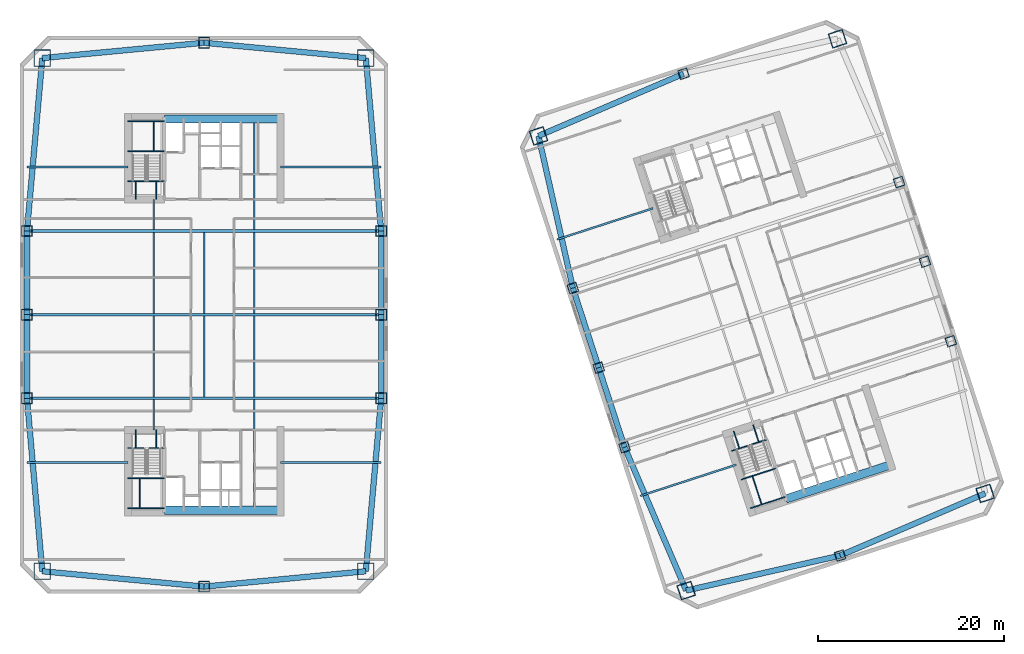
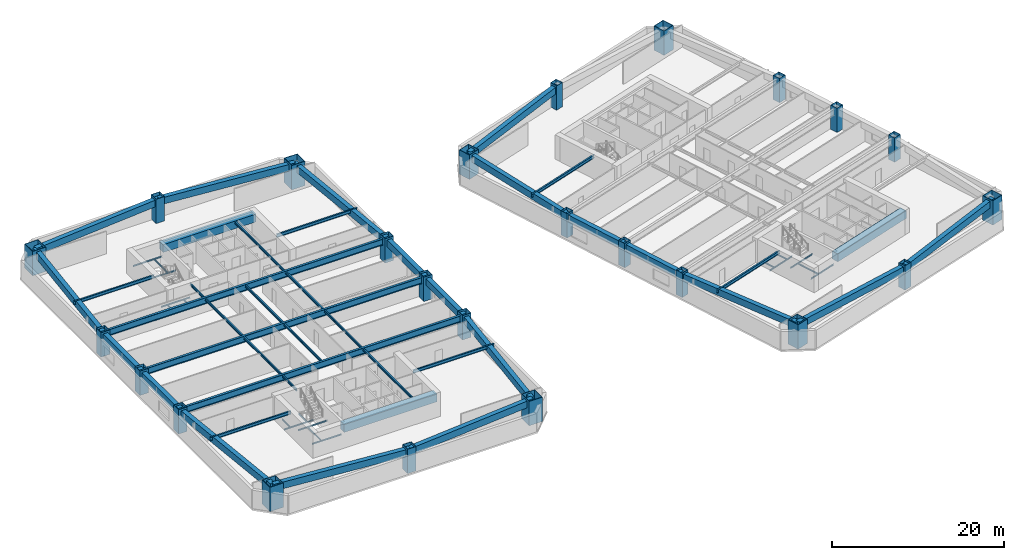
# One storey, part 1 of 11: 59 beams, 24 columns.
"""IFC4 building model written with IfcOpenShell, lengths in metres."""

from ifc_helpers import new_model, si_unit, direction, frame, origin, origin_2d, place, context, subcontext, project, spatial, rectangle, hollow_rectangle, i_section, extrude, material, material_profile, profile_set, type_object, element, save


model = new_model("IFC4")

# Units and contexts
model_context = context("Model", 3, precision=1e-05, world=origin(), true_north=direction((0.0, 1.0)))
body_context = subcontext(model_context, "Body", "Model", "MODEL_VIEW")
ifc_project = project(units=[si_unit("LENGTHUNIT", "METRE"), si_unit("AREAUNIT", "SQUARE_METRE"), si_unit("VOLUMEUNIT", "CUBIC_METRE"), si_unit("PLANEANGLEUNIT", "RADIAN"), si_unit("MASSUNIT", "GRAM", prefix="KILO")], contexts=[model_context])

# Site, building, storey
site_placement = place(None, origin())
site = spatial("IfcSite", under=ifc_project, at=site_placement, CompositionType="ELEMENT")
building_placement = place(site_placement, origin())
building = spatial("IfcBuilding", under=site, at=building_placement, Name="Qiaolan Cultural Towers", CompositionType="ELEMENT")
storey_placement = place(building_placement, frame((0.0, 0.0, 64.39990234375)))
storey = spatial("IfcBuildingStorey", under=building, at=storey_placement, Name="L15", CompositionType="ELEMENT", Elevation=64.39990234375)

# Columns
ifc_material_1 = material(Name="Steel Q355B", Category="steel")
ifc_material_profile_1 = material_profile(ifc_material_1, hollow_rectangle(XDim=1.0, YDim=1.0, WallThickness=0.035888671875, at=origin_2d()), Name="BOX1000x1000x36")
ifc_profile_set_1 = profile_set([ifc_material_profile_1], Name="Steel Q355B")
column_type_1 = type_object("IfcColumnType", Name="COL-BOX1000x1000x36", PredefinedType="COLUMN", material=ifc_profile_set_1)
for number, where, z_axis, x_axis, name in (
    (1, (75.234130859375, 19.739013671875, 0.0), (0.0, 0.0, 1.0), (0.951056516295, 0.309016994375, 0.0), "L15 T2 Perimeter Column PC-W1"),
    (2, (72.453125, 28.298583984375, 0.0), (0.0, 0.0, 1.0), (0.951056516295, 0.309016994375, 0.0), "L15 T2 Perimeter Column PC-W2"),
    (3, (69.671875, 36.858154296875, 0.0), (0.0, 0.0, 1.0), (0.951056516295, 0.309016994375, 0.0), "L15 T2 Perimeter Column PC-W3"),
    (4, (110.328125, 31.141845703125, 0.0), (0.0, 0.0, 1.0), (0.951056516295, 0.309016994375, 0.0), "L15 T2 Perimeter Column PC-E1"),
    (5, (107.546875, 39.701416015625, 0.0), (0.0, 0.0, 1.0), (0.951056516295, 0.309016994375, 0.0), "L15 T2 Perimeter Column PC-E2"),
    (6, (104.765869140625, 48.260986328125, 0.0), (0.0, 0.0, 1.0), (0.951056516295, 0.309016994375, 0.0), "L15 T2 Perimeter Column PC-E3"),
    (7, (98.420654296875, 8.083740234375, 0.0), (0.0, 0.0, 1.0), (0.951056516295, 0.309016994375, 0.0), "L15 T2 Perimeter Column PC-S0"),
    (8, (81.579345703125, 59.916259765625, 0.0), (0.0, 0.0, 1.0), (0.951056516295, 0.309016994375, 0.0), "L15 T2 Perimeter Column PC-N0"),
):
    element("IfcColumn", number, at=place(storey_placement, frame(where, z_axis=z_axis, x_axis=x_axis)), inside=storey, type_object=column_type_1, Name=name, PredefinedType="COLUMN", context=body_context, shape_type="SweptSolid", body=[
        extrude(hollow_rectangle(XDim=1.0, YDim=1.0, WallThickness=0.035888671875, at=origin_2d()), origin(), (0.0, 0.0, 1.0), 3.451171875),
    ])
ifc_material_2 = material(Name="Steel Q390GJB", Category="steel")
ifc_material_profile_2 = material_profile(ifc_material_2, hollow_rectangle(XDim=1.14990234375, YDim=1.14990234375, WallThickness=0.0400390625, at=origin_2d()), Name="BOX1150x1150x40")
ifc_profile_set_2 = profile_set([ifc_material_profile_2], Name="Steel Q390GJB")
column_type_2 = type_object("IfcColumnType", Name="COL-BOX1150x1150x40", PredefinedType="COLUMN", material=ifc_profile_set_2)
for number, where, z_axis, x_axis, name in (
    (9, (10.949951171875, 25.0, 0.0), (0.0, 0.0, 1.0), (1.0, 0.0, 0.0), "L15 T1 Perimeter Column PC-W1"),
    (10, (10.949951171875, 34.0, 0.0), (0.0, 0.0, 1.0), (1.0, 0.0, 0.0), "L15 T1 Perimeter Column PC-W2"),
    (11, (10.949951171875, 43.0, 0.0), (0.0, 0.0, 1.0), (1.0, 0.0, 0.0), "L15 T1 Perimeter Column PC-W3"),
    (12, (49.050048828125, 25.0, 0.0), (0.0, 0.0, 1.0), (1.0, 0.0, 0.0), "L15 T1 Perimeter Column PC-E1"),
    (13, (49.050048828125, 34.0, 0.0), (0.0, 0.0, 1.0), (1.0, 0.0, 0.0), "L15 T1 Perimeter Column PC-E2"),
    (14, (49.050048828125, 43.0, 0.0), (0.0, 0.0, 1.0), (1.0, 0.0, 0.0), "L15 T1 Perimeter Column PC-E3"),
    (15, (30.0, 4.75, 0.0), (0.0, 0.0, 1.0), (1.0, 0.0, 0.0), "L15 T1 Perimeter Column PC-S0"),
    (16, (30.0, 63.25, 0.0), (0.0, 0.0, 1.0), (1.0, 0.0, 0.0), "L15 T1 Perimeter Column PC-N0"),
):
    element("IfcColumn", number, at=place(storey_placement, frame(where, z_axis=z_axis, x_axis=x_axis)), inside=storey, type_object=column_type_2, Name=name, PredefinedType="COLUMN", context=body_context, shape_type="SweptSolid", body=[
        extrude(hollow_rectangle(XDim=1.14990234375, YDim=1.14990234375, WallThickness=0.0400390625, at=origin_2d()), origin(), (0.0, 0.0, 1.0), 3.451171875),
    ])
ifc_material_3 = material(Name="Steel Q420GJB", Category="steel")
ifc_material_profile_3 = material_profile(ifc_material_3, hollow_rectangle(XDim=1.60009765625, YDim=1.60009765625, WallThickness=0.054931640625, at=origin_2d()), Name="BOX1600x1600x55")
ifc_profile_set_3 = profile_set([ifc_material_profile_3], Name="Steel Q420GJB")
column_type_3 = type_object("IfcColumnType", Name="COL-BOX1600x1600x55", PredefinedType="COLUMN", material=ifc_profile_set_3)
for number, where, z_axis, x_axis, name in (
    (17, (81.862548828125, 4.32275390625, 0.0), (0.0, 0.0, 1.0), (0.951056516295, 0.309016994375, 0.0), "L15 T2 Perimeter Column MC-SW"),
    (18, (114.027099609375, 14.77392578125, 0.0), (0.0, 0.0, 1.0), (0.951056516295, 0.309016994375, 0.0), "L15 T2 Perimeter Column MC-SE"),
    (19, (98.137451171875, 63.67724609375, 0.0), (0.0, 0.0, 1.0), (0.951056516295, 0.309016994375, 0.0), "L15 T2 Perimeter Column MC-NE"),
    (20, (65.972900390625, 53.22607421875, 0.0), (0.0, 0.0, 1.0), (0.951056516295, 0.309016994375, 0.0), "L15 T2 Perimeter Column MC-NW"),
):
    element("IfcColumn", number, at=place(storey_placement, frame(where, z_axis=z_axis, x_axis=x_axis)), inside=storey, type_object=column_type_3, Name=name, PredefinedType="COLUMN", context=body_context, shape_type="SweptSolid", body=[
        extrude(hollow_rectangle(XDim=1.60009765625, YDim=1.60009765625, WallThickness=0.054931640625, at=origin_2d()), origin(), (0.0, 0.0, 1.0), 3.451171875),
    ])
ifc_material_4 = material(Name="Steel Q420GJB", Category="steel")
ifc_material_profile_4 = material_profile(ifc_material_4, hollow_rectangle(XDim=1.800048828125, YDim=1.800048828125, WallThickness=0.06005859375, at=origin_2d()), Name="BOX1800x1800x60")
ifc_profile_set_4 = profile_set([ifc_material_profile_4], Name="Steel Q420GJB")
column_type_4 = type_object("IfcColumnType", Name="COL-BOX1800x1800x60", PredefinedType="COLUMN", material=ifc_profile_set_4)
for number, where, z_axis, x_axis, name in (
    (21, (12.60009765625, 6.39990234375, 0.0), (0.0, 0.0, 1.0), (1.0, 0.0, 0.0), "L15 T1 Perimeter Column MC-SW"),
    (22, (47.39990234375, 6.39990234375, 0.0), (0.0, 0.0, 1.0), (1.0, 0.0, 0.0), "L15 T1 Perimeter Column MC-SE"),
    (23, (47.39990234375, 61.60009765625, 0.0), (0.0, 0.0, 1.0), (1.0, 0.0, 0.0), "L15 T1 Perimeter Column MC-NE"),
    (24, (12.60009765625, 61.60009765625, 0.0), (0.0, 0.0, 1.0), (1.0, 0.0, 0.0), "L15 T1 Perimeter Column MC-NW"),
):
    element("IfcColumn", number, at=place(storey_placement, frame(where, z_axis=z_axis, x_axis=x_axis)), inside=storey, type_object=column_type_4, Name=name, PredefinedType="COLUMN", context=body_context, shape_type="SweptSolid", body=[
        extrude(hollow_rectangle(XDim=1.800048828125, YDim=1.800048828125, WallThickness=0.06005859375, at=origin_2d()), origin(), (0.0, 0.0, 1.0), 3.451171875),
    ])

# Beams
ifc_material_5 = material(Name="Steel Q355B", Category="steel")
ifc_material_profile_5 = material_profile(ifc_material_5, i_section(OverallWidth=0.300048828125, OverallDepth=0.89990234375, WebThickness=0.01611328125, FlangeThickness=0.028076171875, at=origin_2d()), Name="HN900x300x16x28")
ifc_profile_set_5 = profile_set([ifc_material_profile_5], Name="Steel Q355B")
beam_type_1 = type_object("IfcBeamType", Name="BM-HN900x300x16x28", PredefinedType="BEAM", material=ifc_profile_set_5)
for number, where, z_axis, x_axis, name in (
    (25, (10.949951171875, 25.0, 2.739990234375), (1.0, 0.0, 0.0), (0.0, 1.0, 0.0), "L15 T1 Primary Transverse Girder V1"),
    (26, (10.949951171875, 34.0, 2.739990234375), (1.0, 0.0, 0.0), (0.0, 1.0, 0.0), "L15 T1 Primary Transverse Girder V2"),
    (27, (10.949951171875, 43.0, 2.739990234375), (1.0, 0.0, 0.0), (0.0, 1.0, 0.0), "L15 T1 Primary Transverse Girder V3"),
):
    element("IfcBeam", number, at=place(storey_placement, frame(where, z_axis=z_axis, x_axis=x_axis)), inside=storey, type_object=beam_type_1, Name=name, PredefinedType="BEAM", context=body_context, shape_type="SweptSolid", body=[
        extrude(i_section(OverallWidth=0.300048828125, OverallDepth=0.89990234375, WebThickness=0.01611328125, FlangeThickness=0.028076171875, at=origin_2d()), origin(), (0.0, 0.0, 1.0), 38.10009765625),
    ])
ifc_material_6 = material(Name="Steel Q355B", Category="steel")
ifc_material_profile_6 = material_profile(ifc_material_6, i_section(OverallWidth=0.175048828125, OverallDepth=0.35009765625, WebThickness=0.007080078125, FlangeThickness=0.010986328125, at=origin_2d()), Name="HN350x175x7x11")
ifc_profile_set_6 = profile_set([ifc_material_profile_6], Name="Steel Q355B")
beam_type_2 = type_object("IfcBeamType", Name="BM-JST-HN350x175x7x11", PredefinedType="JOIST", material=ifc_profile_set_6)
beam_1_placement = place(storey_placement, frame((24.60009765625, 21.60009765625, 3.01513671875), z_axis=(0.0, 1.0, 0.0), x_axis=(-1.0, 0.0, 0.0)))
element("IfcBeam", 28, at=beam_1_placement, inside=storey, type_object=beam_type_2, Name="L15 T1 Secondary Floor Joist U1-1", PredefinedType="JOIST", context=body_context, shape_type="SweptSolid", body=[
    extrude(i_section(OverallWidth=0.175048828125, OverallDepth=0.35009765625, WebThickness=0.007080078125, FlangeThickness=0.010986328125, at=origin_2d()), origin(), (0.0, 0.0, 1.0), 3.25),
])
for number, where, z_axis, x_axis, name in (
    (29, (24.60009765625, 25.14990234375, 3.01513671875), (0.0, 1.0, 0.0), (-1.0, 0.0, 0.0), "L15 T1 Secondary Floor Joist U1-2"),
    (30, (24.60009765625, 34.14990234375, 3.01513671875), (0.0, 1.0, 0.0), (-1.0, 0.0, 0.0), "L15 T1 Secondary Floor Joist U1-3"),
):
    element("IfcBeam", number, at=place(storey_placement, frame(where, z_axis=z_axis, x_axis=x_axis)), inside=storey, type_object=beam_type_2, Name=name, PredefinedType="JOIST", context=body_context, shape_type="SweptSolid", body=[
        extrude(i_section(OverallWidth=0.175048828125, OverallDepth=0.35009765625, WebThickness=0.007080078125, FlangeThickness=0.010986328125, at=origin_2d()), origin(), (0.0, 0.0, 1.0), 8.7001953125),
    ])
beam_2_placement = place(storey_placement, frame((24.60009765625, 43.14990234375, 3.01513671875), z_axis=(0.0, 1.0, 0.0), x_axis=(-1.0, 0.0, 0.0)))
element("IfcBeam", 31, at=beam_2_placement, inside=storey, type_object=beam_type_2, Name="L15 T1 Secondary Floor Joist U1-4", PredefinedType="JOIST", context=body_context, shape_type="SweptSolid", body=[
    extrude(i_section(OverallWidth=0.175048828125, OverallDepth=0.35009765625, WebThickness=0.007080078125, FlangeThickness=0.010986328125, at=origin_2d()), origin(), (0.0, 0.0, 1.0), 3.25),
])
for number, where, z_axis, x_axis, name in (
    (32, (30.0, 25.14990234375, 3.01513671875), (0.0, 1.0, 0.0), (-1.0, 0.0, 0.0), "L15 T1 Secondary Floor Joist U2-2"),
    (33, (30.0, 34.14990234375, 3.01513671875), (0.0, 1.0, 0.0), (-1.0, 0.0, 0.0), "L15 T1 Secondary Floor Joist U2-3"),
):
    element("IfcBeam", number, at=place(storey_placement, frame(where, z_axis=z_axis, x_axis=x_axis)), inside=storey, type_object=beam_type_2, Name=name, PredefinedType="JOIST", context=body_context, shape_type="SweptSolid", body=[
        extrude(i_section(OverallWidth=0.175048828125, OverallDepth=0.35009765625, WebThickness=0.007080078125, FlangeThickness=0.010986328125, at=origin_2d()), origin(), (0.0, 0.0, 1.0), 8.7001953125),
    ])
beam_3_placement = place(storey_placement, frame((35.39990234375, 13.39990234375, 3.01513671875), z_axis=(0.0, 1.0, 0.0), x_axis=(-1.0, 0.0, 0.0)))
element("IfcBeam", 34, at=beam_3_placement, inside=storey, type_object=beam_type_2, Name="L15 T1 Secondary Floor Joist U3-1", PredefinedType="JOIST", context=body_context, shape_type="SweptSolid", body=[
    extrude(i_section(OverallWidth=0.175048828125, OverallDepth=0.35009765625, WebThickness=0.007080078125, FlangeThickness=0.010986328125, at=origin_2d()), origin(), (0.0, 0.0, 1.0), 11.4501953125),
])
for number, where, z_axis, x_axis, name in (
    (35, (35.39990234375, 25.14990234375, 3.01513671875), (0.0, 1.0, 0.0), (-1.0, 0.0, 0.0), "L15 T1 Secondary Floor Joist U3-2"),
    (36, (35.39990234375, 34.14990234375, 3.01513671875), (0.0, 1.0, 0.0), (-1.0, 0.0, 0.0), "L15 T1 Secondary Floor Joist U3-3"),
):
    element("IfcBeam", number, at=place(storey_placement, frame(where, z_axis=z_axis, x_axis=x_axis)), inside=storey, type_object=beam_type_2, Name=name, PredefinedType="JOIST", context=body_context, shape_type="SweptSolid", body=[
        extrude(i_section(OverallWidth=0.175048828125, OverallDepth=0.35009765625, WebThickness=0.007080078125, FlangeThickness=0.010986328125, at=origin_2d()), origin(), (0.0, 0.0, 1.0), 8.7001953125),
    ])
beam_4_placement = place(storey_placement, frame((35.39990234375, 43.14990234375, 3.01513671875), z_axis=(0.0, 1.0, 0.0), x_axis=(-1.0, 0.0, 0.0)))
element("IfcBeam", 37, at=beam_4_placement, inside=storey, type_object=beam_type_2, Name="L15 T1 Secondary Floor Joist U3-4", PredefinedType="JOIST", context=body_context, shape_type="SweptSolid", body=[
    extrude(i_section(OverallWidth=0.175048828125, OverallDepth=0.35009765625, WebThickness=0.007080078125, FlangeThickness=0.010986328125, at=origin_2d()), origin(), (0.0, 0.0, 1.0), 11.4501953125),
])
ifc_material_7 = material(Name="Steel Q355B", Category="steel")
ifc_material_profile_7 = material_profile(ifc_material_7, i_section(OverallWidth=0.199951171875, OverallDepth=0.449951171875, WebThickness=0.009033203125, FlangeThickness=0.013916015625, at=origin_2d()), Name="HN450x200x9x14")
ifc_profile_set_7 = profile_set([ifc_material_profile_7], Name="Steel Q355B")
beam_type_3 = type_object("IfcBeamType", Name="BM-LNT-HN450x200x9x14", PredefinedType="LINTEL", material=ifc_profile_set_7)
for number, where, z_axis, x_axis, name in (
    (38, (21.800048828125, 18.10009765625, 2.965087890625), (-1.0, 0.0, 0.0), (0.0, -1.0, 0.0), "L15 T1 Core Flank Tie Lintel WS"),
    (39, (21.800048828125, 49.89990234375, 2.965087890625), (-1.0, 0.0, 0.0), (0.0, -1.0, 0.0), "L15 T1 Core Flank Tie Lintel WN"),
    (40, (38.199951171875, 18.10009765625, 2.965087890625), (1.0, 0.0, 0.0), (0.0, 1.0, 0.0), "L15 T1 Core Flank Tie Lintel ES"),
    (41, (38.199951171875, 49.89990234375, 2.965087890625), (1.0, 0.0, 0.0), (0.0, 1.0, 0.0), "L15 T1 Core Flank Tie Lintel EN"),
):
    element("IfcBeam", number, at=place(storey_placement, frame(where, z_axis=z_axis, x_axis=x_axis)), inside=storey, type_object=beam_type_3, Name=name, PredefinedType="LINTEL", context=body_context, shape_type="SweptSolid", body=[
        extrude(i_section(OverallWidth=0.199951171875, OverallDepth=0.449951171875, WebThickness=0.009033203125, FlangeThickness=0.013916015625, at=origin_2d()), origin(), (0.0, 0.0, 1.0), 10.85009765625),
    ])
beam_5_placement = place(storey_placement, frame((87.252685546875, 17.861083984375, 2.965087890625), z_axis=(-0.95105688584, -0.30901585703, 0.0), x_axis=(0.30901585703, -0.95105688584, 0.0)))
element("IfcBeam", 42, at=beam_5_placement, inside=storey, type_object=beam_type_3, Name="L15 T2 Core Flank Tie Lintel WS", PredefinedType="LINTEL", context=body_context, shape_type="SweptSolid", body=[
    extrude(i_section(OverallWidth=0.199951171875, OverallDepth=0.449951171875, WebThickness=0.009033203125, FlangeThickness=0.013916015625, at=origin_2d()), origin(), (0.0, 0.0, 1.0), 10.849853515625),
])
beam_6_placement = place(storey_placement, frame((78.291259765625, 45.44189453125, 2.965087890625), z_axis=(-0.951052421511, -0.309029596542, 0.0), x_axis=(0.309029596542, -0.951052421511, 0.0)))
element("IfcBeam", 43, at=beam_6_placement, inside=storey, type_object=beam_type_3, Name="L15 T2 Core Flank Tie Lintel WN", PredefinedType="LINTEL", context=body_context, shape_type="SweptSolid", body=[
    extrude(i_section(OverallWidth=0.199951171875, OverallDepth=0.449951171875, WebThickness=0.009033203125, FlangeThickness=0.013916015625, at=origin_2d()), origin(), (0.0, 0.0, 1.0), 10.85009765625),
])
ifc_material_8 = material(Name="Concrete C50", Category="concrete")
ifc_material_profile_8 = material_profile(ifc_material_8, rectangle(XDim=0.89990234375, YDim=1.10009765625, at=origin_2d()), Name="RC900x1100")
ifc_profile_set_8 = profile_set([ifc_material_profile_8], Name="Concrete C50")
beam_type_4 = type_object("IfcBeamType", Name="BM-RC900x1100", PredefinedType="BEAM", material=ifc_profile_set_8)
for number, where, z_axis, x_axis, name in (
    (44, (25.719970703125, 12.949951171875, 2.64013671875), (1.0, 0.0, 0.0), (0.0, 1.0, 0.0), "L15 T1 Core Header Girder S"),
    (45, (25.719970703125, 55.050048828125, 2.64013671875), (1.0, 0.0, 0.0), (0.0, 1.0, 0.0), "L15 T1 Core Header Girder N"),
):
    element("IfcBeam", number, at=place(storey_placement, frame(where, z_axis=z_axis, x_axis=x_axis)), inside=storey, type_object=beam_type_4, Name=name, PredefinedType="BEAM", context=body_context, shape_type="SweptSolid", body=[
        extrude(rectangle(XDim=0.89990234375, YDim=1.10009765625, at=origin_2d()), origin(), (0.0, 0.0, 1.0), 12.47998046875),
    ])
beam_7_placement = place(storey_placement, frame((92.572265625, 14.174560546875, 2.64013671875), z_axis=(0.951056266386, 0.309017763514, 0.0), x_axis=(-0.309017763514, 0.951056266386, 0.0)))
element("IfcBeam", 46, at=beam_7_placement, inside=storey, type_object=beam_type_4, Name="L15 T2 Core Header Girder S", PredefinedType="BEAM", context=body_context, shape_type="SweptSolid", body=[
    extrude(rectangle(XDim=0.89990234375, YDim=1.10009765625, at=origin_2d()), origin(), (0.0, 0.0, 1.0), 11.880126953125),
])
ifc_material_9 = material(Name="Concrete C50", Category="concrete")
ifc_material_profile_9 = material_profile(ifc_material_9, rectangle(XDim=0.60009765625, YDim=0.949951171875, at=origin_2d()), Name="RC600x950")
ifc_profile_set_9 = profile_set([ifc_material_profile_9], Name="Concrete C50")
beam_type_5 = type_object("IfcBeamType", Name="BM-SPD-RC600x950", PredefinedType="SPANDREL", material=ifc_profile_set_9)
for number, where, z_axis, x_axis, name in (
    (47, (12.60009765625, 6.39990234375, 2.715087890625), (0.995534437156, -0.094399070104, 0.0), (0.094399070104, 0.995534437156, 0.0), "L15 T1 Perimeter Spandrel Beam 1"),
    (48, (30.0, 4.75, 2.715087890625), (0.995534437156, 0.094399070104, 0.0), (-0.094399070104, 0.995534437156, 0.0), "L15 T1 Perimeter Spandrel Beam 2"),
):
    element("IfcBeam", number, at=place(storey_placement, frame(where, z_axis=z_axis, x_axis=x_axis)), inside=storey, type_object=beam_type_5, Name=name, PredefinedType="SPANDREL", context=body_context, shape_type="SweptSolid", body=[
        extrude(rectangle(XDim=0.60009765625, YDim=0.949951171875, at=origin_2d()), origin(), (0.0, 0.0, 1.0), 17.47802734375),
    ])
beam_8_placement = place(storey_placement, frame((47.39990234375, 6.39990234375, 2.715087890625), z_axis=(0.08837000091, 0.996087718496, 0.0), x_axis=(-0.996087718496, 0.08837000091, 0.0)))
element("IfcBeam", 49, at=beam_8_placement, inside=storey, type_object=beam_type_5, Name="L15 T1 Perimeter Spandrel Beam 3", PredefinedType="SPANDREL", context=body_context, shape_type="SweptSolid", body=[
    extrude(rectangle(XDim=0.60009765625, YDim=0.949951171875, at=origin_2d()), origin(), (0.0, 0.0, 1.0), 18.673095703125),
])
for number, where, z_axis, x_axis, name in (
    (50, (49.050048828125, 25.0, 2.715087890625), (0.0, 1.0, 0.0), (-1.0, 0.0, 0.0), "L15 T1 Perimeter Spandrel Beam 4"),
    (51, (49.050048828125, 34.0, 2.715087890625), (0.0, 1.0, 0.0), (-1.0, 0.0, 0.0), "L15 T1 Perimeter Spandrel Beam 5"),
):
    element("IfcBeam", number, at=place(storey_placement, frame(where, z_axis=z_axis, x_axis=x_axis)), inside=storey, type_object=beam_type_5, Name=name, PredefinedType="SPANDREL", context=body_context, shape_type="SweptSolid", body=[
        extrude(rectangle(XDim=0.60009765625, YDim=0.949951171875, at=origin_2d()), origin(), (0.0, 0.0, 1.0), 9.0),
    ])
beam_9_placement = place(storey_placement, frame((49.050048828125, 43.0, 2.715087890625), z_axis=(-0.08837000091, 0.996087718496, 0.0), x_axis=(-0.996087718496, -0.08837000091, 0.0)))
element("IfcBeam", 52, at=beam_9_placement, inside=storey, type_object=beam_type_5, Name="L15 T1 Perimeter Spandrel Beam 6", PredefinedType="SPANDREL", context=body_context, shape_type="SweptSolid", body=[
    extrude(rectangle(XDim=0.60009765625, YDim=0.949951171875, at=origin_2d()), origin(), (0.0, 0.0, 1.0), 18.673095703125),
])
for number, where, z_axis, x_axis, name in (
    (53, (47.39990234375, 61.60009765625, 2.715087890625), (-0.995534437156, 0.094399070104, 0.0), (-0.094399070104, -0.995534437156, 0.0), "L15 T1 Perimeter Spandrel Beam 7"),
    (54, (30.0, 63.25, 2.715087890625), (-0.995534437156, -0.094399070104, 0.0), (0.094399070104, -0.995534437156, 0.0), "L15 T1 Perimeter Spandrel Beam 8"),
):
    element("IfcBeam", number, at=place(storey_placement, frame(where, z_axis=z_axis, x_axis=x_axis)), inside=storey, type_object=beam_type_5, Name=name, PredefinedType="SPANDREL", context=body_context, shape_type="SweptSolid", body=[
        extrude(rectangle(XDim=0.60009765625, YDim=0.949951171875, at=origin_2d()), origin(), (0.0, 0.0, 1.0), 17.47802734375),
    ])
beam_10_placement = place(storey_placement, frame((12.60009765625, 61.60009765625, 2.715087890625), z_axis=(-0.08837000091, -0.996087718496, 0.0), x_axis=(0.996087718496, -0.08837000091, 0.0)))
element("IfcBeam", 55, at=beam_10_placement, inside=storey, type_object=beam_type_5, Name="L15 T1 Perimeter Spandrel Beam 9", PredefinedType="SPANDREL", context=body_context, shape_type="SweptSolid", body=[
    extrude(rectangle(XDim=0.60009765625, YDim=0.949951171875, at=origin_2d()), origin(), (0.0, 0.0, 1.0), 18.673095703125),
])
for number, where, z_axis, x_axis, name in (
    (56, (10.949951171875, 43.0, 2.715087890625), (0.0, -1.0, 0.0), (1.0, 0.0, 0.0), "L15 T1 Perimeter Spandrel Beam 10"),
    (57, (10.949951171875, 34.0, 2.715087890625), (0.0, -1.0, 0.0), (1.0, 0.0, 0.0), "L15 T1 Perimeter Spandrel Beam 11"),
):
    element("IfcBeam", number, at=place(storey_placement, frame(where, z_axis=z_axis, x_axis=x_axis)), inside=storey, type_object=beam_type_5, Name=name, PredefinedType="SPANDREL", context=body_context, shape_type="SweptSolid", body=[
        extrude(rectangle(XDim=0.60009765625, YDim=0.949951171875, at=origin_2d()), origin(), (0.0, 0.0, 1.0), 9.0),
    ])
beam_11_placement = place(storey_placement, frame((10.949951171875, 25.0, 2.715087890625), z_axis=(0.08837000091, -0.996087718496, 0.0), x_axis=(0.996087718496, 0.08837000091, 0.0)))
element("IfcBeam", 58, at=beam_11_placement, inside=storey, type_object=beam_type_5, Name="L15 T1 Perimeter Spandrel Beam 12", PredefinedType="SPANDREL", context=body_context, shape_type="SweptSolid", body=[
    extrude(rectangle(XDim=0.60009765625, YDim=0.949951171875, at=origin_2d()), origin(), (0.0, 0.0, 1.0), 18.673095703125),
])
for number, where, z_axis, x_axis, name in (
    (59, (81.862548828125, 4.32275390625, 2.715087890625), (0.975161095889, 0.221496810506, 0.0), (-0.221496810506, 0.975161095889, 0.0), "L15 T2 Perimeter Spandrel Beam 1"),
    (60, (98.420654296875, 8.083740234375, 2.715087890625), (0.919108584923, 0.394004326272, 0.0), (-0.394004326272, 0.919108584923, 0.0), "L15 T2 Perimeter Spandrel Beam 2"),
    (61, (81.579345703125, 59.916259765625, 2.715087890625), (-0.919108584923, -0.394004326272, 0.0), (0.394004326272, -0.919108584923, 0.0), "L15 T2 Perimeter Spandrel Beam 8"),
):
    element("IfcBeam", number, at=place(storey_placement, frame(where, z_axis=z_axis, x_axis=x_axis)), inside=storey, type_object=beam_type_5, Name=name, PredefinedType="SPANDREL", context=body_context, shape_type="SweptSolid", body=[
        extrude(rectangle(XDim=0.60009765625, YDim=0.949951171875, at=origin_2d()), origin(), (0.0, 0.0, 1.0), 16.97998046875),
    ])
beam_12_placement = place(storey_placement, frame((65.972900390625, 53.22607421875, 2.715087890625), z_axis=(0.220430557386, -0.975402670373, 0.0), x_axis=(0.975402670373, 0.220430557386, 0.0)))
element("IfcBeam", 62, at=beam_12_placement, inside=storey, type_object=beam_type_5, Name="L15 T2 Perimeter Spandrel Beam 9", PredefinedType="SPANDREL", context=body_context, shape_type="SweptSolid", body=[
    extrude(rectangle(XDim=0.60009765625, YDim=0.949951171875, at=origin_2d()), origin(), (0.0, 0.0, 1.0), 16.78076171875),
])
for number, where, z_axis, x_axis, name in (
    (63, (69.671875, 36.858154296875, 2.715087890625), (0.309024734286, -0.951054001411, 0.0), (0.951054001411, 0.309024734286, 0.0), "L15 T2 Perimeter Spandrel Beam 10"),
    (64, (72.453125, 28.298583984375, 2.715087890625), (0.309000197986, -0.951061973609, 0.0), (0.951061973609, 0.309000197986, 0.0), "L15 T2 Perimeter Spandrel Beam 11"),
):
    element("IfcBeam", number, at=place(storey_placement, frame(where, z_axis=z_axis, x_axis=x_axis)), inside=storey, type_object=beam_type_5, Name=name, PredefinedType="SPANDREL", context=body_context, shape_type="SweptSolid", body=[
        extrude(rectangle(XDim=0.60009765625, YDim=0.949951171875, at=origin_2d()), origin(), (0.0, 0.0, 1.0), 9.0),
    ])
beam_13_placement = place(storey_placement, frame((75.234130859375, 19.739013671875, 2.715087890625), z_axis=(0.394998896054, -0.918681594524, 0.0), x_axis=(0.918681594524, 0.394998896054, 0.0)))
element("IfcBeam", 65, at=beam_13_placement, inside=storey, type_object=beam_type_5, Name="L15 T2 Perimeter Spandrel Beam 12", PredefinedType="SPANDREL", context=body_context, shape_type="SweptSolid", body=[
    extrude(rectangle(XDim=0.60009765625, YDim=0.949951171875, at=origin_2d()), origin(), (0.0, 0.0, 1.0), 16.78076171875),
])
ifc_material_10 = material(Name="Steel Q355B", Category="steel")
ifc_material_profile_10 = material_profile(ifc_material_10, i_section(OverallWidth=0.10009765625, OverallDepth=0.199951171875, WebThickness=0.005615234375, FlangeThickness=0.008056640625, at=origin_2d()), Name="HN200x100x5.5x8")
ifc_profile_set_10 = profile_set([ifc_material_profile_10], Name="Steel Q355B")
beam_type_6 = type_object("IfcBeamType", Name="BM-STTRIM-200", PredefinedType="BEAM", material=ifc_profile_set_10)
beam_14_placement = place(storey_placement, frame((21.800048828125, 19.659912109375, -0.4599609375), z_axis=(1.0, 0.0, 0.0), x_axis=(0.0, 1.0, 0.0)))
element("IfcBeam", 66, at=beam_14_placement, inside=storey, type_object=beam_type_6, Name="L15 ST-W1 Floor Landing Header Beam", PredefinedType="BEAM", context=body_context, shape_type="SweptSolid", body=[
    extrude(i_section(OverallWidth=0.10009765625, OverallDepth=0.199951171875, WebThickness=0.005615234375, FlangeThickness=0.008056640625, at=origin_2d()), origin(), (0.0, 0.0, 1.0), 3.919921875),
])
for number, where, z_axis, x_axis, name in (
    (67, (22.64990234375, 21.60009765625, -0.4599609375), (0.0, -1.0, 0.0), (1.0, 0.0, 0.0), "L15 ST-W1 Floor Landing Stringer 1"),
    (68, (24.85009765625, 21.60009765625, -0.4599609375), (0.0, -1.0, 0.0), (1.0, 0.0, 0.0), "L15 ST-W1 Floor Landing Stringer 2"),
):
    element("IfcBeam", number, at=place(storey_placement, frame(where, z_axis=z_axis, x_axis=x_axis)), inside=storey, type_object=beam_type_6, Name=name, PredefinedType="BEAM", context=body_context, shape_type="SweptSolid", body=[
        extrude(i_section(OverallWidth=0.10009765625, OverallDepth=0.199951171875, WebThickness=0.005615234375, FlangeThickness=0.008056640625, at=origin_2d()), origin(), (0.0, 0.0, 1.0), 1.940185546875),
    ])
for number, where, z_axis, x_axis, name in (
    (69, (21.800048828125, 16.411376953125, 1.425048828125), (1.0, 0.0, 0.0), (0.0, 1.0, 0.0), "L15 ST-W1 Stair Landing Support Beam 1-1"),
    (70, (21.800048828125, 13.179931640625, 1.425048828125), (1.0, 0.0, 0.0), (0.0, 1.0, 0.0), "L15 ST-W1 Stair Landing Support Beam 1-2"),
):
    element("IfcBeam", number, at=place(storey_placement, frame(where, z_axis=z_axis, x_axis=x_axis)), inside=storey, type_object=beam_type_6, Name=name, PredefinedType="BEAM", context=body_context, shape_type="SweptSolid", body=[
        extrude(i_section(OverallWidth=0.10009765625, OverallDepth=0.199951171875, WebThickness=0.005615234375, FlangeThickness=0.008056640625, at=origin_2d()), origin(), (0.0, 0.0, 1.0), 3.919921875),
    ])
beam_15_placement = place(storey_placement, frame((23.070068359375, 16.411376953125, 1.425048828125), z_axis=(0.0, -1.0, 0.0), x_axis=(1.0, 0.0, 0.0)))
element("IfcBeam", 71, at=beam_15_placement, inside=storey, type_object=beam_type_6, Name="L15 ST-W1 Stair Landing Trimmer 1", PredefinedType="BEAM", context=body_context, shape_type="SweptSolid", body=[
    extrude(i_section(OverallWidth=0.10009765625, OverallDepth=0.199951171875, WebThickness=0.005615234375, FlangeThickness=0.008056640625, at=origin_2d()), origin(), (0.0, 0.0, 1.0), 3.2314453125),
])
beam_16_placement = place(storey_placement, frame((21.800048828125, 48.340087890625, -0.4599609375), z_axis=(1.0, 0.0, 0.0), x_axis=(0.0, 1.0, 0.0)))
element("IfcBeam", 72, at=beam_16_placement, inside=storey, type_object=beam_type_6, Name="L15 ST-W2 Floor Landing Header Beam", PredefinedType="BEAM", context=body_context, shape_type="SweptSolid", body=[
    extrude(i_section(OverallWidth=0.10009765625, OverallDepth=0.199951171875, WebThickness=0.005615234375, FlangeThickness=0.008056640625, at=origin_2d()), origin(), (0.0, 0.0, 1.0), 3.919921875),
])
for number, where, z_axis, x_axis, name in (
    (73, (22.64990234375, 46.39990234375, -0.4599609375), (0.0, 1.0, 0.0), (-1.0, 0.0, 0.0), "L15 ST-W2 Floor Landing Stringer 1"),
    (74, (24.85009765625, 46.39990234375, -0.4599609375), (0.0, 1.0, 0.0), (-1.0, 0.0, 0.0), "L15 ST-W2 Floor Landing Stringer 2"),
):
    element("IfcBeam", number, at=place(storey_placement, frame(where, z_axis=z_axis, x_axis=x_axis)), inside=storey, type_object=beam_type_6, Name=name, PredefinedType="BEAM", context=body_context, shape_type="SweptSolid", body=[
        extrude(i_section(OverallWidth=0.10009765625, OverallDepth=0.199951171875, WebThickness=0.005615234375, FlangeThickness=0.008056640625, at=origin_2d()), origin(), (0.0, 0.0, 1.0), 1.940185546875),
    ])
for number, where, z_axis, x_axis, name in (
    (75, (21.800048828125, 51.588623046875, 1.425048828125), (1.0, 0.0, 0.0), (0.0, 1.0, 0.0), "L15 ST-W2 Stair Landing Support Beam 1-1"),
    (76, (21.800048828125, 54.820068359375, 1.425048828125), (1.0, 0.0, 0.0), (0.0, 1.0, 0.0), "L15 ST-W2 Stair Landing Support Beam 1-2"),
):
    element("IfcBeam", number, at=place(storey_placement, frame(where, z_axis=z_axis, x_axis=x_axis)), inside=storey, type_object=beam_type_6, Name=name, PredefinedType="BEAM", context=body_context, shape_type="SweptSolid", body=[
        extrude(i_section(OverallWidth=0.10009765625, OverallDepth=0.199951171875, WebThickness=0.005615234375, FlangeThickness=0.008056640625, at=origin_2d()), origin(), (0.0, 0.0, 1.0), 3.919921875),
    ])
beam_17_placement = place(storey_placement, frame((24.610107421875, 51.588623046875, 1.425048828125), z_axis=(0.0, 1.0, 0.0), x_axis=(-1.0, 0.0, 0.0)))
element("IfcBeam", 77, at=beam_17_placement, inside=storey, type_object=beam_type_6, Name="L15 ST-W2 Stair Landing Trimmer 1", PredefinedType="BEAM", context=body_context, shape_type="SweptSolid", body=[
    extrude(i_section(OverallWidth=0.10009765625, OverallDepth=0.199951171875, WebThickness=0.005615234375, FlangeThickness=0.008056640625, at=origin_2d()), origin(), (0.0, 0.0, 1.0), 3.2314453125),
])
beam_18_placement = place(storey_placement, frame((86.770751953125, 19.3447265625, -0.4599609375), z_axis=(0.951047798727, 0.309043823005, 0.0), x_axis=(-0.309043823005, 0.951047798727, 0.0)))
element("IfcBeam", 78, at=beam_18_placement, inside=storey, type_object=beam_type_6, Name="L15 ST-E1 Floor Landing Header Beam", PredefinedType="BEAM", context=body_context, shape_type="SweptSolid", body=[
    extrude(i_section(OverallWidth=0.10009765625, OverallDepth=0.199951171875, WebThickness=0.005615234375, FlangeThickness=0.008056640625, at=origin_2d()), origin(), (0.0, 0.0, 1.0), 3.919921875),
])
for number, where, z_axis, x_axis, name in (
    (79, (86.9794921875, 21.452392578125, -0.4599609375), (0.309083226701, -0.951034993558, 0.0), (0.951034993558, 0.309083226701, 0.0), "L15 ST-E1 Floor Landing Stringer 1"),
    (80, (89.07177734375, 22.13232421875, -0.4599609375), (0.309083226701, -0.951034993558, 0.0), (0.951034993558, 0.309083226701, 0.0), "L15 ST-E1 Floor Landing Stringer 2"),
):
    element("IfcBeam", number, at=place(storey_placement, frame(where, z_axis=z_axis, x_axis=x_axis)), inside=storey, type_object=beam_type_6, Name=name, PredefinedType="BEAM", context=body_context, shape_type="SweptSolid", body=[
        extrude(i_section(OverallWidth=0.10009765625, OverallDepth=0.199951171875, WebThickness=0.005615234375, FlangeThickness=0.008056640625, at=origin_2d()), origin(), (0.0, 0.0, 1.0), 1.93994140625),
    ])
for number, where, z_axis, x_axis, name in (
    (81, (87.774658203125, 16.255126953125, 1.425048828125), (0.951047798727, 0.309043823005, 0.0), (-0.309043823005, 0.951047798727, 0.0), "L15 ST-E1 Stair Landing Support Beam 1-1"),
    (82, (88.773193359375, 13.181884765625, 1.425048828125), (0.951047798727, 0.309043823005, 0.0), (-0.309043823005, 0.951047798727, 0.0), "L15 ST-E1 Stair Landing Support Beam 1-2"),
):
    element("IfcBeam", number, at=place(storey_placement, frame(where, z_axis=z_axis, x_axis=x_axis)), inside=storey, type_object=beam_type_6, Name=name, PredefinedType="BEAM", context=body_context, shape_type="SweptSolid", body=[
        extrude(i_section(OverallWidth=0.10009765625, OverallDepth=0.199951171875, WebThickness=0.005615234375, FlangeThickness=0.008056640625, at=origin_2d()), origin(), (0.0, 0.0, 1.0), 3.919921875),
    ])
beam_19_placement = place(storey_placement, frame((88.982421875, 16.6474609375, 1.425048828125), z_axis=(0.309033108495, -0.951051280349, 0.0), x_axis=(0.951051280349, 0.309033108495, 0.0)))
element("IfcBeam", 83, at=beam_19_placement, inside=storey, type_object=beam_type_6, Name="L15 ST-E1 Stair Landing Trimmer 1", PredefinedType="BEAM", context=body_context, shape_type="SweptSolid", body=[
    extrude(i_section(OverallWidth=0.10009765625, OverallDepth=0.199951171875, WebThickness=0.005615234375, FlangeThickness=0.008056640625, at=origin_2d()), origin(), (0.0, 0.0, 1.0), 3.231201171875),
])

save(model, "model.ifc")
